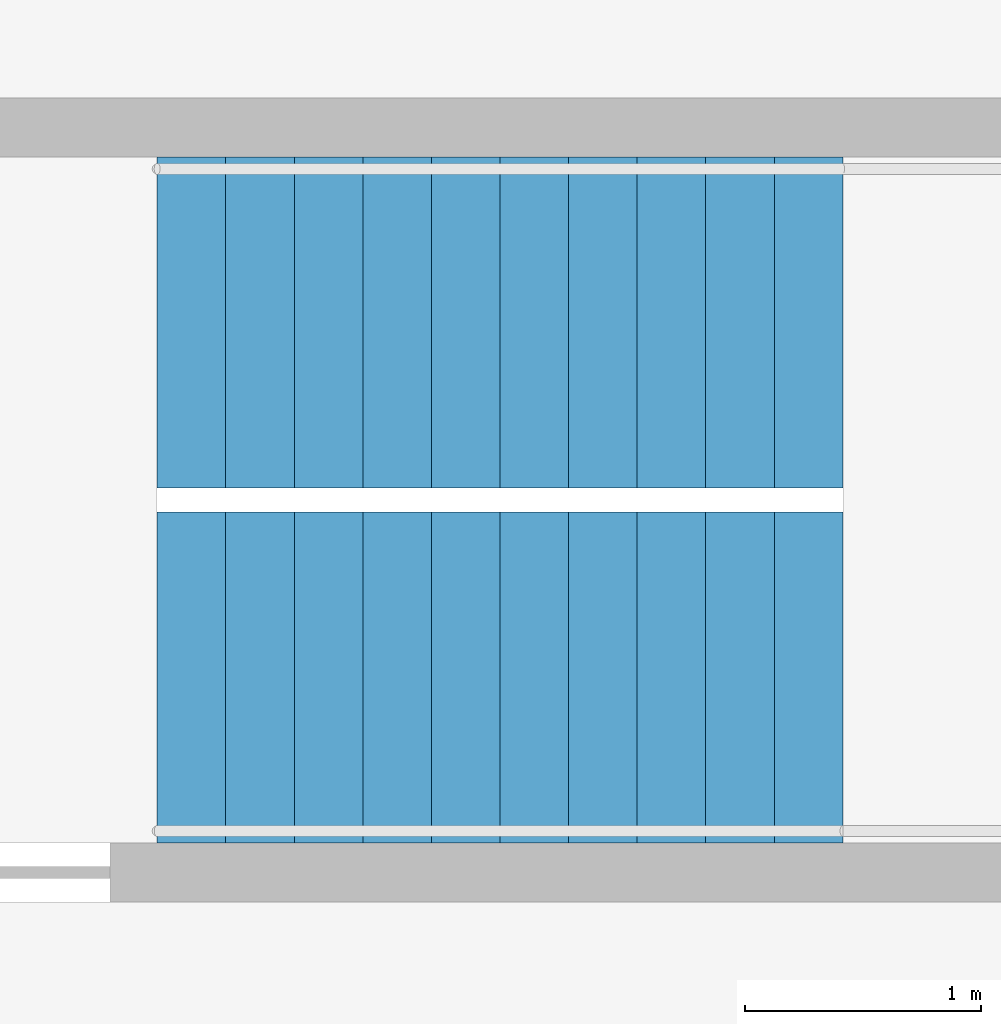
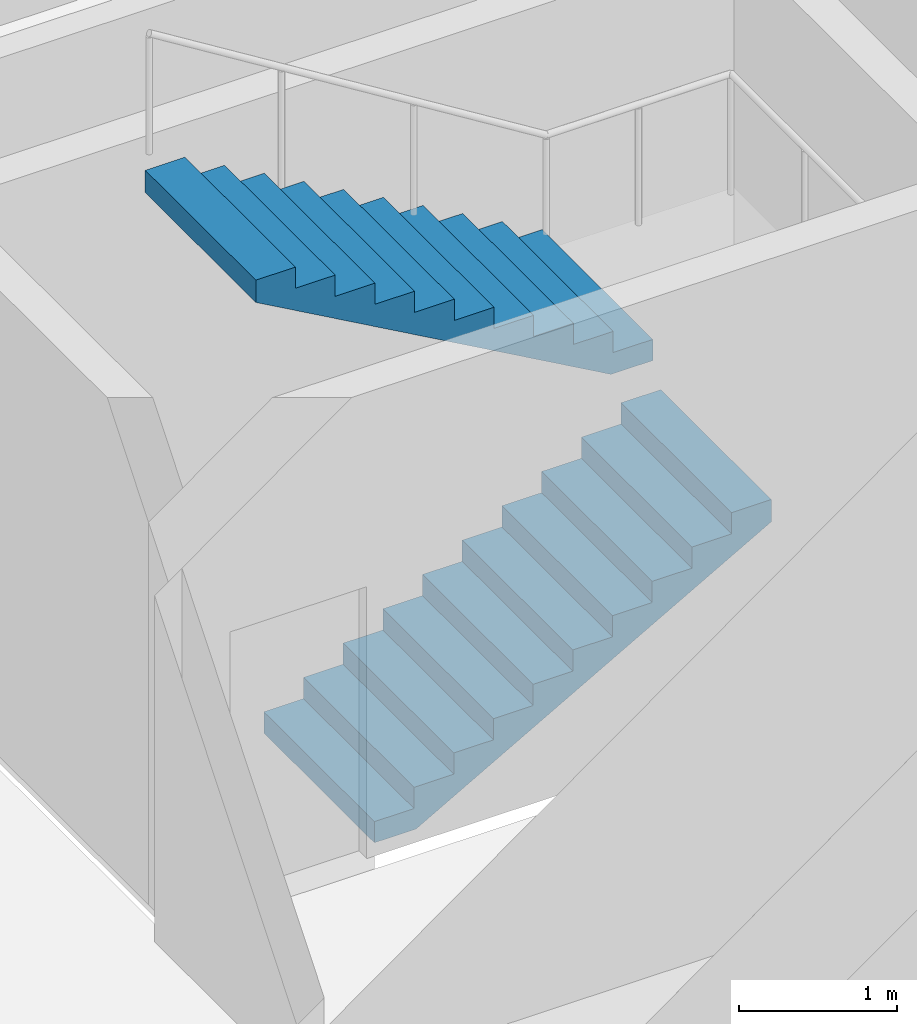
# One storey, part 21 of 23: 2 stair flights, 1 element without a shape of its own.
"""IFC4 building model written with IfcOpenShell, lengths in metres."""

from ifc_helpers import new_model, si_unit, direction, frame, origin, place, context, subcontext, project, spatial, polyline, outline, extrude, material, type_object, element, aggregate, save


model = new_model("IFC4")

# Units and contexts
model_context = context("Model", 3, precision=1e-05, world=origin(), true_north=direction((0.0, 1.0)))
body_context = subcontext(model_context, "Body", "Model", "MODEL_VIEW")
ifc_project = project(units=[si_unit("LENGTHUNIT", "METRE"), si_unit("AREAUNIT", "SQUARE_METRE"), si_unit("VOLUMEUNIT", "CUBIC_METRE"), si_unit("PLANEANGLEUNIT", "RADIAN"), si_unit("MASSUNIT", "GRAM", prefix="KILO")], contexts=[model_context])

# Site, building, storey
site_placement = place(None, origin())
site = spatial("IfcSite", under=ifc_project, at=site_placement, CompositionType="ELEMENT")
building_placement = place(site_placement, origin())
building = spatial("IfcBuilding", under=site, at=building_placement, Name="Marenta Gate Hotel Tower", CompositionType="ELEMENT")
storey_placement = place(building_placement, frame((0.0, 0.0, 162.5)))
storey = spatial("IfcBuildingStorey", under=building, at=storey_placement, Name="L38", CompositionType="ELEMENT", Elevation=162.5)

# Stair, stair flights
ifc_material_1 = material(Name="Concrete C40", Category="concrete")
stair_type = type_object("IfcStairType", Name="Remote exit stair 1400 wide", PredefinedType="HALF_TURN_STAIR", material=ifc_material_1)
stair_placement = place(storey_placement, origin())
stair = element("IfcStair", 1, at=stair_placement, inside=storey, type_object=stair_type, Name="Exit stair RS-Z2-4", PredefinedType="HALF_TURN_STAIR")
ifc_material_2 = material(Name="Concrete C40", Category="concrete")
stair_flight_type = type_object("IfcStairFlightType", Name="Remote stair flight 1400 riser 163.6 going 290", PredefinedType="STRAIGHT", material=ifc_material_2)
stair_flight_1_placement = place(storey_placement, frame((4.550048828125, 19.64990234375, 0.0), z_axis=(0.0, 0.0, 1.0), x_axis=(1.0, 0.0, 0.0)))
stair_flight_1 = element("IfcStairFlight", 2, at=stair_flight_1_placement, type_object=stair_flight_type, Name="RS-Z2-4 flight 1", NumberOfRisers=11, NumberOfTreads=10, PredefinedType="STRAIGHT", RiserHeight=0.163636, TreadLength=0.29, context=body_context, shape_type="SweptSolid", body=[
    extrude(outline(polyline([(0.0, 0.0), (0.0, 0.16357421875), (0.2900390625, 0.16357421875), (0.2900390625, 0.327392578125), (0.580078125, 0.327392578125), (0.580078125, 0.490966796875), (0.8701171875, 0.490966796875), (0.8701171875, 0.654541015625), (1.159912109375, 0.654541015625), (1.159912109375, 0.818115234375), (1.449951171875, 0.818115234375), (1.449951171875, 0.98193359375), (1.739990234375, 0.98193359375), (1.739990234375, 1.1455078125), (2.030029296875, 1.1455078125), (2.030029296875, 1.30908203125), (2.320068359375, 1.30908203125), (2.320068359375, 1.47265625), (2.610107421875, 1.47265625), (2.610107421875, 1.636474609375), (2.89990234375, 1.636474609375), (2.89990234375, 1.800048828125), (2.89990234375, 1.46435546875), (0.304931640625, 0.0), (0.0, 0.0)])), frame((0.0, 0.699951171875, 0.0), z_axis=(0.0, -1.0, 0.0), x_axis=(1.0, 0.0, 0.0)), (0.0, 0.0, 1.0), 1.39990234375),
])
stair_flight_2_placement = place(storey_placement, frame((7.449951171875, 21.14990234375, 1.800048828125), z_axis=(0.0, 0.0, 1.0), x_axis=(-1.0, 0.0, 0.0)))
stair_flight_2 = element("IfcStairFlight", 3, at=stair_flight_2_placement, type_object=stair_flight_type, Name="RS-Z2-4 flight 2", NumberOfRisers=11, NumberOfTreads=10, PredefinedType="STRAIGHT", RiserHeight=0.163636, TreadLength=0.29, context=body_context, shape_type="SweptSolid", body=[
    extrude(outline(polyline([(0.0, 0.0), (0.0, 0.16357421875), (0.2900390625, 0.16357421875), (0.2900390625, 0.327392578125), (0.580078125, 0.327392578125), (0.580078125, 0.490966796875), (0.8701171875, 0.490966796875), (0.8701171875, 0.654541015625), (1.159912109375, 0.654541015625), (1.159912109375, 0.818115234375), (1.449951171875, 0.818115234375), (1.449951171875, 0.98193359375), (1.739990234375, 0.98193359375), (1.739990234375, 1.1455078125), (2.030029296875, 1.1455078125), (2.030029296875, 1.30908203125), (2.320068359375, 1.30908203125), (2.320068359375, 1.47265625), (2.610107421875, 1.47265625), (2.610107421875, 1.636474609375), (2.89990234375, 1.636474609375), (2.89990234375, 1.800048828125), (2.89990234375, 1.46435546875), (0.304931640625, 0.0), (0.0, 0.0)])), frame((0.0, 0.699951171875, 0.0), z_axis=(0.0, -1.0, 0.0), x_axis=(1.0, 0.0, 0.0)), (0.0, 0.0, 1.0), 1.39990234375),
])
aggregate(stair, [stair_flight_1, stair_flight_2])

save(model, "model.ifc")
